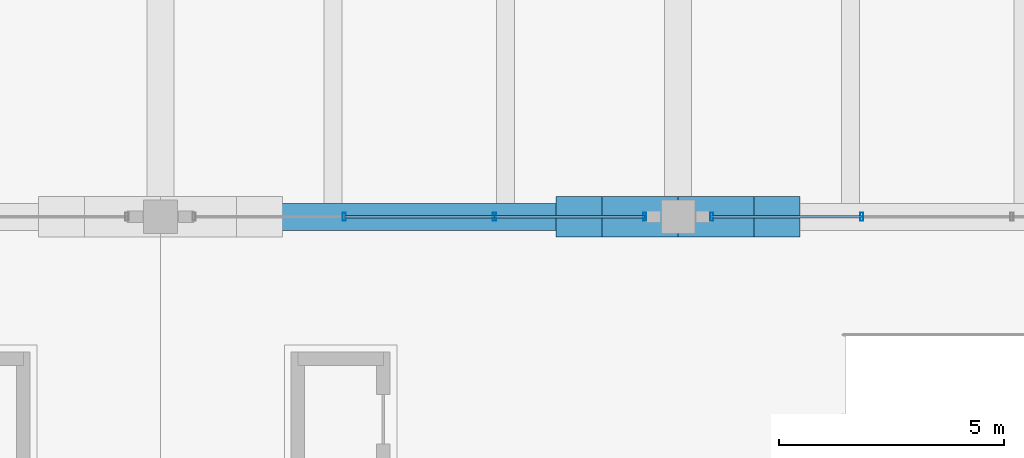
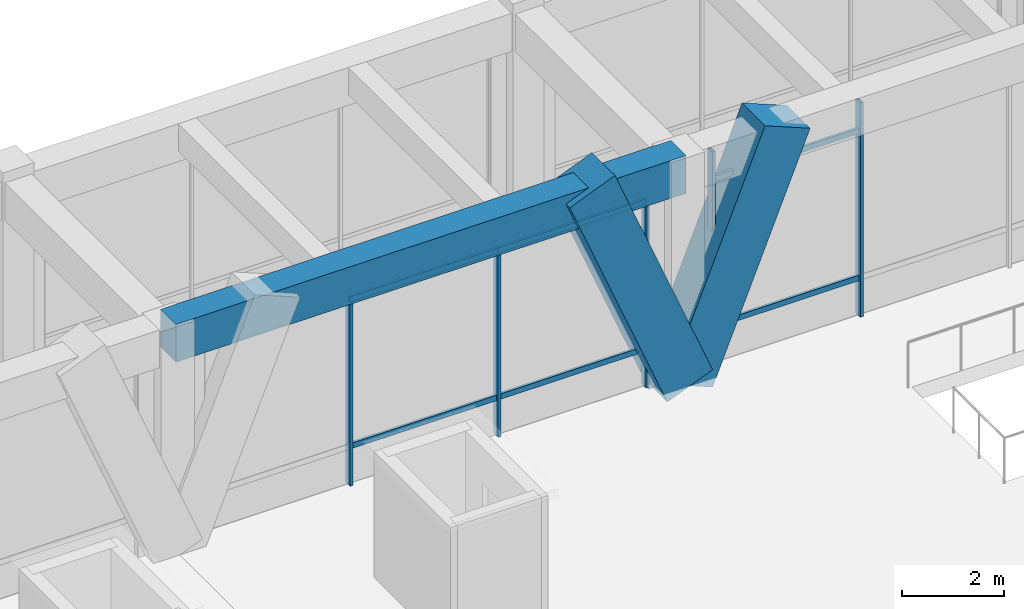
# One storey, part 69 of 148: 13 members, 1 beam, 2 elements without a shape of their own.
"""IFC4 building model written with IfcOpenShell, lengths in metres."""

from ifc_helpers import new_model, si_unit, direction, frame, origin, origin_2d, place, context, subcontext, project, spatial, rectangle, hollow_rectangle, extrude, material, material_profile, profile_set, type_object, element, aggregate, save


model = new_model("IFC4")

# Units and contexts
model_context = context("Model", 3, precision=1e-05, world=origin(), true_north=direction((0.0, 1.0)))
body_context = subcontext(model_context, "Body", "Model", "MODEL_VIEW")
ifc_project = project(units=[si_unit("LENGTHUNIT", "METRE"), si_unit("AREAUNIT", "SQUARE_METRE"), si_unit("VOLUMEUNIT", "CUBIC_METRE"), si_unit("PLANEANGLEUNIT", "RADIAN"), si_unit("MASSUNIT", "GRAM", prefix="KILO")], contexts=[model_context])

# Site, building, storey
site_placement = place(None, origin())
site = spatial("IfcSite", under=ifc_project, at=site_placement, CompositionType="ELEMENT")
building_placement = place(site_placement, origin())
building = spatial("IfcBuilding", under=site, at=building_placement, Name="Ologun Quay Terminus", CompositionType="ELEMENT")
storey_placement = place(building_placement, frame((0.0, 0.0, 8.39990234375)))
storey = spatial("IfcBuildingStorey", under=building, at=storey_placement, Name="L02", CompositionType="ELEMENT", Elevation=8.39990234375)

# Curtain wall, members
ifc_material_1 = material(Name="Aluminium 6063-T6", Category="aluminium")
curtain_wall_type = type_object("IfcCurtainWallType", Name="Train Shed North Clerestory Curtain Wall 10700x4850", PredefinedType="USERDEFINED", material=ifc_material_1)
curtain_wall_1_placement = place(storey_placement, origin())
curtain_wall_1 = element("IfcCurtainWall", 1, at=curtain_wall_1_placement, inside=storey, type_object=curtain_wall_type, Name="CW-09 Curtain Wall CW-L02-061", ObjectType="UNITISED CURTAIN WALL", PredefinedType="USERDEFINED")
ifc_material_2 = material(Name="Aluminium 6063-T6", Category="aluminium")
ifc_material_profile_1 = material_profile(ifc_material_2, hollow_rectangle(XDim=0.070068359375, YDim=0.179931640625, WallThickness=0.0048828125, at=origin_2d()), Name="ALU 180x70x5")
ifc_profile_set_1 = profile_set([ifc_material_profile_1], Name="Aluminium 6063-T6")
member_type_1 = type_object("IfcMemberType", Name="Concourse Clerestory Mullion 180x70", PredefinedType="MULLION", material=ifc_profile_set_1)
member_1_placement = place(storey_placement, frame((96.081787109375, 78.0, 0.0), z_axis=(0.0, 0.0, 1.0), x_axis=(1.0, 0.0, 0.0)))
member_1 = element("IfcMember", 2, at=member_1_placement, type_object=member_type_1, Name="CW-L02-061 Mullion 2", PredefinedType="MULLION", context=body_context, shape_type="SweptSolid", body=[
    extrude(hollow_rectangle(XDim=0.070068359375, YDim=0.179931640625, WallThickness=0.0048828125, at=origin_2d()), origin(), (0.0, 0.0, 1.0), 5.10009765625),
])
member_2_placement = place(storey_placement, frame((99.418212890625, 78.0, 0.0), z_axis=(0.0, 0.0, 1.0), x_axis=(1.0, 0.0, 0.0)))
member_2 = element("IfcMember", 3, at=member_2_placement, type_object=member_type_1, Name="CW-L02-061 Mullion 3", PredefinedType="MULLION", context=body_context, shape_type="SweptSolid", body=[
    extrude(hollow_rectangle(XDim=0.070068359375, YDim=0.179931640625, WallThickness=0.0048828125, at=origin_2d()), origin(), (0.0, 0.0, 1.0), 5.10009765625),
])
member_3_placement = place(storey_placement, frame((102.7548828125, 78.0, 0.0), z_axis=(0.0, 0.0, 1.0), x_axis=(1.0, 0.0, 0.0)))
member_3 = element("IfcMember", 4, at=member_3_placement, type_object=member_type_1, Name="CW-L02-061 Mullion 4", PredefinedType="MULLION", context=body_context, shape_type="SweptSolid", body=[
    extrude(hollow_rectangle(XDim=0.070068359375, YDim=0.179931640625, WallThickness=0.0048828125, at=origin_2d()), origin(), (0.0, 0.0, 1.0), 5.10009765625),
])

curtain_wall_2_placement = place(storey_placement, origin())
curtain_wall_2 = element("IfcCurtainWall", 5, at=curtain_wall_2_placement, inside=storey, type_object=curtain_wall_type, Name="CW-09 Curtain Wall CW-L02-063", ObjectType="UNITISED CURTAIN WALL", PredefinedType="USERDEFINED")
member_4_placement = place(storey_placement, frame((104.2451171875, 78.0, 0.0), z_axis=(0.0, 0.0, 1.0), x_axis=(1.0, 0.0, 0.0)))
member_4 = element("IfcMember", 6, at=member_4_placement, type_object=member_type_1, Name="CW-L02-063 Mullion 1", PredefinedType="MULLION", context=body_context, shape_type="SweptSolid", body=[
    extrude(hollow_rectangle(XDim=0.070068359375, YDim=0.179931640625, WallThickness=0.0048828125, at=origin_2d()), origin(), (0.0, 0.0, 1.0), 5.10009765625),
])
member_5_placement = place(storey_placement, frame((107.581787109375, 78.0, 0.0), z_axis=(0.0, 0.0, 1.0), x_axis=(1.0, 0.0, 0.0)))
member_5 = element("IfcMember", 7, at=member_5_placement, type_object=member_type_1, Name="CW-L02-063 Mullion 2", PredefinedType="MULLION", context=body_context, shape_type="SweptSolid", body=[
    extrude(hollow_rectangle(XDim=0.070068359375, YDim=0.179931640625, WallThickness=0.0048828125, at=origin_2d()), origin(), (0.0, 0.0, 1.0), 5.10009765625),
])

# Member
ifc_material_3 = material(Name="Aluminium 6063-T6", Category="aluminium")
ifc_material_profile_2 = material_profile(ifc_material_3, hollow_rectangle(XDim=0.06005859375, YDim=0.1298828125, WallThickness=0.00390625, at=origin_2d()), Name="ALU 130x60x4")
ifc_profile_set_2 = profile_set([ifc_material_profile_2], Name="Aluminium 6063-T6")
member_type_2 = type_object("IfcMemberType", Name="Concourse Clerestory Transom 130x60", PredefinedType="USERDEFINED", material=ifc_profile_set_2)
member_6_placement = place(storey_placement, frame((96.081787109375, 78.0, 0.900146484375), z_axis=(1.0, 0.0, 0.0), x_axis=(0.0, 1.0, 0.0)))
member_6 = element("IfcMember", 8, at=member_6_placement, type_object=member_type_2, Name="CW-L02-061 Transom B2-1", ObjectType="TRANSOM", PredefinedType="USERDEFINED", context=body_context, shape_type="SweptSolid", body=[
    extrude(hollow_rectangle(XDim=0.06005859375, YDim=0.1298828125, WallThickness=0.00390625, at=origin_2d()), origin(), (0.0, 0.0, 1.0), 3.33642578125),
])

member_7_placement = place(storey_placement, frame((96.081787109375, 78.0, 4.400146484375), z_axis=(1.0, 0.0, 0.0), x_axis=(0.0, 1.0, 0.0)))
member_7 = element("IfcMember", 9, at=member_7_placement, type_object=member_type_2, Name="CW-L02-061 Transom B2-2", ObjectType="TRANSOM", PredefinedType="USERDEFINED", context=body_context, shape_type="SweptSolid", body=[
    extrude(hollow_rectangle(XDim=0.06005859375, YDim=0.1298828125, WallThickness=0.00390625, at=origin_2d()), origin(), (0.0, 0.0, 1.0), 3.33642578125),
])

member_8_placement = place(storey_placement, frame((99.418212890625, 78.0, 0.900146484375), z_axis=(1.0, 0.0, 0.0), x_axis=(0.0, 1.0, 0.0)))
member_8 = element("IfcMember", 10, at=member_8_placement, type_object=member_type_2, Name="CW-L02-061 Transom B3-1", ObjectType="TRANSOM", PredefinedType="USERDEFINED", context=body_context, shape_type="SweptSolid", body=[
    extrude(hollow_rectangle(XDim=0.06005859375, YDim=0.1298828125, WallThickness=0.00390625, at=origin_2d()), origin(), (0.0, 0.0, 1.0), 3.336669921875),
])

member_9_placement = place(storey_placement, frame((99.418212890625, 78.0, 4.400146484375), z_axis=(1.0, 0.0, 0.0), x_axis=(0.0, 1.0, 0.0)))
member_9 = element("IfcMember", 11, at=member_9_placement, type_object=member_type_2, Name="CW-L02-061 Transom B3-2", ObjectType="TRANSOM", PredefinedType="USERDEFINED", context=body_context, shape_type="SweptSolid", body=[
    extrude(hollow_rectangle(XDim=0.06005859375, YDim=0.1298828125, WallThickness=0.00390625, at=origin_2d()), origin(), (0.0, 0.0, 1.0), 3.336669921875),
])

aggregate(curtain_wall_1, [member_1, member_2, member_3, member_6, member_7, member_8, member_9])

member_10_placement = place(storey_placement, frame((104.2451171875, 78.0, 0.900146484375), z_axis=(1.0, 0.0, 0.0), x_axis=(0.0, 1.0, 0.0)))
member_10 = element("IfcMember", 12, at=member_10_placement, type_object=member_type_2, Name="CW-L02-063 Transom B1-1", ObjectType="TRANSOM", PredefinedType="USERDEFINED", context=body_context, shape_type="SweptSolid", body=[
    extrude(hollow_rectangle(XDim=0.06005859375, YDim=0.1298828125, WallThickness=0.00390625, at=origin_2d()), origin(), (0.0, 0.0, 1.0), 3.336669921875),
])

member_11_placement = place(storey_placement, frame((104.2451171875, 78.0, 4.400146484375), z_axis=(1.0, 0.0, 0.0), x_axis=(0.0, 1.0, 0.0)))
member_11 = element("IfcMember", 13, at=member_11_placement, type_object=member_type_2, Name="CW-L02-063 Transom B1-2", ObjectType="TRANSOM", PredefinedType="USERDEFINED", context=body_context, shape_type="SweptSolid", body=[
    extrude(hollow_rectangle(XDim=0.06005859375, YDim=0.1298828125, WallThickness=0.00390625, at=origin_2d()), origin(), (0.0, 0.0, 1.0), 3.336669921875),
])

aggregate(curtain_wall_2, [member_4, member_5, member_10, member_11])

# Members
ifc_material_4 = material(Name="Concrete C45/55", Category="concrete")
ifc_material_profile_3 = material_profile(ifc_material_4, rectangle(XDim=0.89990234375, YDim=1.10009765625, at=origin_2d()), Name="RC 900x1100")
ifc_profile_set_3 = profile_set([ifc_material_profile_3], Name="Concrete C45/55")
member_type_3 = type_object("IfcMemberType", Name="Sculpted Concrete Arch V-Buttress Strut 900x1100", PredefinedType="STRUT", material=ifc_profile_set_3)
for number, where, z_axis, x_axis, name in (
    (14, (103.5, 78.0, 0.0), (-0.377280927807, 0.0, 0.926098861631), (0.0, -1.0, 0.0), "VS1 Arch V-Buttress West Limb 10/F"),
    (15, (103.5, 78.0, 0.0), (0.377280927807, 0.0, 0.926098861631), (0.0, 1.0, 0.0), "VS1 Arch V-Buttress East Limb 10/F"),
):
    element("IfcMember", number, at=place(storey_placement, frame(where, z_axis=z_axis, x_axis=x_axis)), inside=storey, type_object=member_type_3, Name=name, PredefinedType="STRUT", context=body_context, shape_type="SweptSolid", body=[
        extrude(rectangle(XDim=0.89990234375, YDim=1.10009765625, at=origin_2d()), origin(), (0.0, 0.0, 1.0), 5.8310546875),
    ])

# Beam
ifc_material_5 = material(Name="Concrete C40/50", Category="concrete")
ifc_material_profile_4 = material_profile(ifc_material_5, rectangle(XDim=0.60009765625, YDim=0.89990234375, at=origin_2d()), Name="RC 600x900")
ifc_profile_set_4 = profile_set([ifc_material_profile_4], Name="Concrete C40/50")
beam_type = type_object("IfcBeamType", Name="Station Frame Girder 600x900", PredefinedType="BEAM", material=ifc_profile_set_4)
beam_placement = place(storey_placement, frame((92.0, 78.0, 4.9501953125), z_axis=(1.0, 0.0, 0.0), x_axis=(0.0, 1.0, 0.0)))
element("IfcBeam", 16, at=beam_placement, inside=storey, type_object=beam_type, Name="B3 Beam 9/F L02", PredefinedType="BEAM", context=body_context, shape_type="SweptSolid", body=[
    extrude(rectangle(XDim=0.60009765625, YDim=0.89990234375, at=origin_2d()), origin(), (0.0, 0.0, 1.0), 11.5),
])

save(model, "model.ifc")
